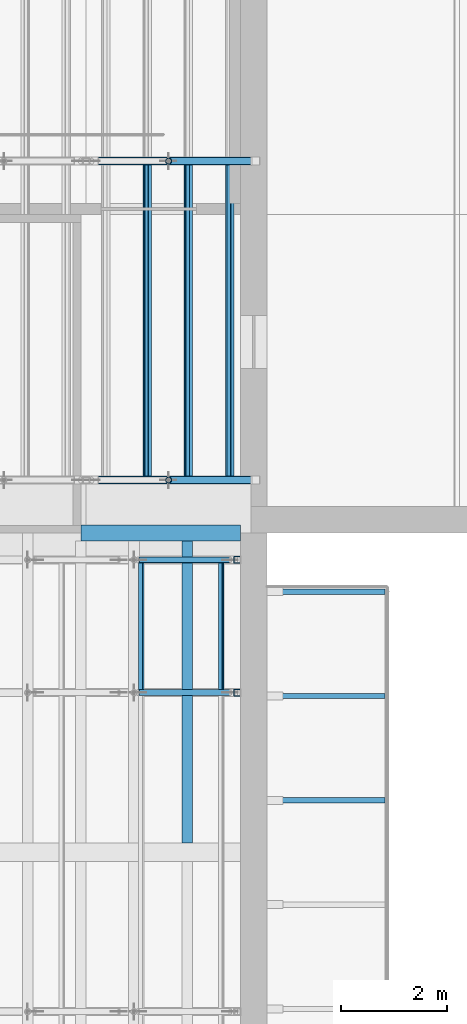
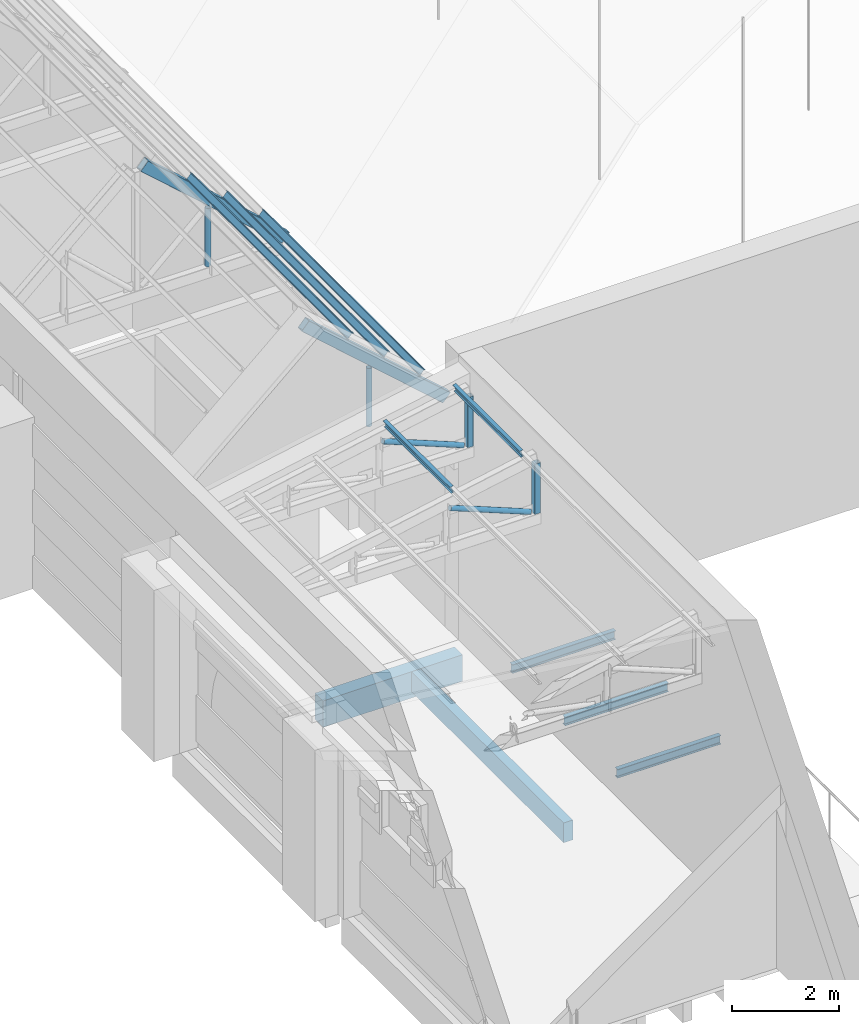
# One storey, part 29 of 118: 13 members, 5 beams.
"""IFC4 building model written with IfcOpenShell, lengths in metres."""

from ifc_helpers import new_model, si_unit, direction, frame, origin, origin_2d, place, context, subcontext, project, spatial, rectangle, hollow_rectangle, hollow_circle, i_section, extrude, material, material_profile, profile_set, type_object, element, save


model = new_model("IFC4")

# Units and contexts
model_context = context("Model", 3, precision=1e-05, world=origin(), true_north=direction((0.0, 1.0)))
body_context = subcontext(model_context, "Body", "Model", "MODEL_VIEW")
ifc_project = project(units=[si_unit("LENGTHUNIT", "METRE"), si_unit("AREAUNIT", "SQUARE_METRE"), si_unit("VOLUMEUNIT", "CUBIC_METRE"), si_unit("PLANEANGLEUNIT", "RADIAN"), si_unit("MASSUNIT", "GRAM", prefix="KILO")], contexts=[model_context])

# Site, building, storey
site_placement = place(None, origin())
site = spatial("IfcSite", under=ifc_project, at=site_placement, CompositionType="ELEMENT")
building_placement = place(site_placement, origin())
building = spatial("IfcBuilding", under=site, at=building_placement, Name="Saffron Lane Theatres", CompositionType="ELEMENT")
storey_placement = place(building_placement, frame((0.0, 0.0, 16.5)))
storey = spatial("IfcBuildingStorey", under=building, at=storey_placement, Name="L03", CompositionType="ELEMENT", Elevation=16.5)

# Beams
ifc_material_1 = material(Name="Concrete N40 (40 MPa)", Category="concrete")
ifc_material_profile_1 = material_profile(ifc_material_1, rectangle(XDim=0.300048828125, YDim=0.60009765625, at=origin_2d()))
ifc_profile_set_1 = profile_set([ifc_material_profile_1], Name="Concrete N40 (40 MPa)")
beam_type_1 = type_object("IfcBeamType", Name="RC-BEAM 300x600", PredefinedType="BEAM", material=ifc_profile_set_1)
beam_1_placement = place(storey_placement, frame((15.0, 54.0, -0.550048828125), z_axis=(1.0, 0.0, 0.0), x_axis=(0.0, 1.0, 0.0)))
element("IfcBeam", 1, at=beam_1_placement, inside=storey, type_object=beam_type_1, Name="beam-L03-x540-150", PredefinedType="BEAM", context=body_context, shape_type="SweptSolid", body=[
    extrude(rectangle(XDim=0.300048828125, YDim=0.60009765625, at=origin_2d()), origin(), (0.0, 0.0, 1.0), 3.0),
])
ifc_material_2 = material(Name="Concrete N40 (40 MPa)", Category="concrete")
ifc_material_profile_2 = material_profile(ifc_material_2, rectangle(XDim=0.199951171875, YDim=0.449951171875, at=origin_2d()))
ifc_profile_set_2 = profile_set([ifc_material_profile_2], Name="Concrete N40 (40 MPa)")
beam_type_2 = type_object("IfcBeamType", Name="RC-JOIST 200x450", PredefinedType="JOIST", material=ifc_profile_set_2)
beam_2_placement = place(storey_placement, frame((17.0, 48.175048828125, -0.47509765625), z_axis=(0.0, 1.0, 0.0), x_axis=(-1.0, 0.0, 0.0)))
element("IfcBeam", 2, at=beam_2_placement, inside=storey, type_object=beam_type_2, Name="joist-L03-y1700-482", PredefinedType="JOIST", context=body_context, shape_type="SweptSolid", body=[
    extrude(rectangle(XDim=0.199951171875, YDim=0.449951171875, at=origin_2d()), origin(), (0.0, 0.0, 1.0), 5.675048828125),
])
ifc_material_3 = material(Name="Steel Grade 350", Category="steel")
ifc_material_profile_3 = material_profile(ifc_material_3, i_section(OverallWidth=0.09912109375, OverallDepth=0.197998046875, WebThickness=0.00439453125, FlangeThickness=0.007080078125, FilletRadius=0.010986328125, at=origin_2d()))
ifc_profile_set_3 = profile_set([ifc_material_profile_3], Name="Steel Grade 350")
beam_type_3 = type_object("IfcBeamType", Name="ST-GALLERY BEAM 200UB18.2", PredefinedType="BEAM", material=ifc_profile_set_3)
for number, where, z_axis, x_axis, name in (
    (3, (18.5, 48.97509765625, -0.14892578125), (1.0, 0.0, 0.0), (0.0, 1.0, 0.0), "FBW16.5-8"),
    (4, (18.5, 50.9375, -0.14892578125), (1.0, 0.0, 0.0), (0.0, 1.0, 0.0), "FBW16.5-9"),
    (5, (18.5, 52.89990234375, -0.14892578125), (1.0, 0.0, 0.0), (0.0, 1.0, 0.0), "FBW16.5-10"),
):
    element("IfcBeam", number, at=place(storey_placement, frame(where, z_axis=z_axis, x_axis=x_axis)), inside=storey, type_object=beam_type_3, Name=name, PredefinedType="BEAM", context=body_context, shape_type="SweptSolid", body=[
        extrude(i_section(OverallWidth=0.09912109375, OverallDepth=0.197998046875, WebThickness=0.00439453125, FlangeThickness=0.007080078125, FilletRadius=0.010986328125, at=origin_2d()), origin(), (0.0, 0.0, 1.0), 2.22509765625),
    ])

# Members
ifc_material_4 = material(Name="Steel Grade 350", Category="steel")
ifc_material_profile_4 = material_profile(ifc_material_4, hollow_rectangle(XDim=0.125, YDim=0.125, WallThickness=0.006103515625, InnerFilletRadius=0.0029296875, OuterFilletRadius=0.009033203125, at=origin_2d()))
ifc_profile_set_4 = profile_set([ifc_material_profile_4], Name="Steel Grade 350")
member_type_1 = type_object("IfcMemberType", Name="ST-STUDIO POST 125x125x6 SHS", PredefinedType="POST", material=ifc_profile_set_4)
for number, where, z_axis, x_axis, name in (
    (6, (17.9375, 51.0, 4.75), (0.0, 0.0, 1.0), (1.0, 0.0, 0.0), "SB3-P31"),
    (7, (17.9375, 53.5, 4.75), (0.0, 0.0, 1.0), (1.0, 0.0, 0.0), "SB3-P38"),
):
    element("IfcMember", number, at=place(storey_placement, frame(where, z_axis=z_axis, x_axis=x_axis)), inside=storey, type_object=member_type_1, Name=name, PredefinedType="POST", context=body_context, shape_type="SweptSolid", body=[
        extrude(hollow_rectangle(XDim=0.125, YDim=0.125, WallThickness=0.006103515625, InnerFilletRadius=0.0029296875, OuterFilletRadius=0.009033203125, at=origin_2d()), origin(), (0.0, 0.0, 1.0), 1.140869140625),
    ])
ifc_material_5 = material(Name="Steel Grade 350", Category="steel")
ifc_material_profile_5 = material_profile(ifc_material_5, i_section(OverallWidth=0.074951171875, OverallDepth=0.155029296875, WebThickness=0.006103515625, FlangeThickness=0.009521484375, FilletRadius=0.008056640625, at=origin_2d()))
ifc_profile_set_5 = profile_set([ifc_material_profile_5], Name="Steel Grade 350")
member_type_2 = type_object("IfcMemberType", Name="ST-STUDIO PURLIN 150UB18.0", PredefinedType="PURLIN", material=ifc_profile_set_5)
for number, where, z_axis, x_axis, name in (
    (8, (17.79736328125, 55.0, 5.544677734375), (0.0, 1.0, 0.0), (-0.748268687469, 0.0, 0.663395787863), "SB1-U81"),
    (9, (17.022216796875, 55.0, 6.23193359375), (0.0, 1.0, 0.0), (-0.748268687469, 0.0, 0.663395787863), "SB1-U87"),
    (10, (16.247314453125, 55.0, 6.9189453125), (0.0, 1.0, 0.0), (-0.748268687469, 0.0, 0.663395787863), "SB1-U93"),
):
    element("IfcMember", number, at=place(storey_placement, frame(where, z_axis=z_axis, x_axis=x_axis)), inside=storey, type_object=member_type_2, Name=name, PredefinedType="PURLIN", context=body_context, shape_type="SweptSolid", body=[
        extrude(i_section(OverallWidth=0.074951171875, OverallDepth=0.155029296875, WebThickness=0.006103515625, FlangeThickness=0.009521484375, FilletRadius=0.008056640625, at=origin_2d()), origin(), (0.0, 0.0, 1.0), 6.0),
    ])
for number, where, z_axis, x_axis, name in (
    (11, (16.137451171875, 51.0, 5.88720703125), (0.0, 1.0, 0.0), (-0.981660567439, 0.0, -0.190637169344), "SB3-U57"),
    (12, (17.637451171875, 51.0, 6.178466796875), (0.0, 1.0, 0.0), (-0.981660567439, 0.0, -0.190637169344), "SB3-U62"),
):
    element("IfcMember", number, at=place(storey_placement, frame(where, z_axis=z_axis, x_axis=x_axis)), inside=storey, type_object=member_type_2, Name=name, PredefinedType="PURLIN", context=body_context, shape_type="SweptSolid", body=[
        extrude(i_section(OverallWidth=0.074951171875, OverallDepth=0.155029296875, WebThickness=0.006103515625, FlangeThickness=0.009521484375, FilletRadius=0.008056640625, at=origin_2d()), origin(), (0.0, 0.0, 1.0), 2.5),
    ])
ifc_material_6 = material(Name="Steel Grade 350", Category="steel")
ifc_material_profile_6 = material_profile(ifc_material_6, hollow_rectangle(XDim=0.14990234375, YDim=0.25, WallThickness=0.009033203125, InnerFilletRadius=0.00439453125, OuterFilletRadius=0.013427734375, at=origin_2d()))
ifc_profile_set_6 = profile_set([ifc_material_profile_6], Name="Steel Grade 350")
member_type_3 = type_object("IfcMemberType", Name="ST-STUDIO TRUSS CHORD 250x150x9 RHS", PredefinedType="CHORD", material=ifc_profile_set_6)
for number, where, z_axis, x_axis, name in (
    (13, (18.282958984375, 55.0, 4.843505859375), (-0.748261446236, 0.0, 0.663403955428), (0.0, -1.0, 0.0), "SB1-C3"),
    (14, (18.282958984375, 61.0, 4.843505859375), (-0.748261446236, 0.0, 0.663403955428), (0.0, -1.0, 0.0), "SB1-C11"),
):
    element("IfcMember", number, at=place(storey_placement, frame(where, z_axis=z_axis, x_axis=x_axis)), inside=storey, type_object=member_type_3, Name=name, PredefinedType="CHORD", context=body_context, shape_type="SweptSolid", body=[
        extrude(hollow_rectangle(XDim=0.14990234375, YDim=0.25, WallThickness=0.009033203125, InnerFilletRadius=0.00439453125, OuterFilletRadius=0.013427734375, at=origin_2d()), origin(), (0.0, 0.0, 1.0), 4.0595703125),
    ])
ifc_material_7 = material(Name="Steel Grade 350", Category="steel")
ifc_material_profile_7 = material_profile(ifc_material_7, hollow_circle(Radius=0.05712890625, WallThickness=0.006103515625, at=origin_2d()))
ifc_profile_set_7 = profile_set([ifc_material_profile_7], Name="Steel Grade 350")
member_type_4 = type_object("IfcMemberType", Name="ST-STUDIO TRUSS WEB 114.3x6.0 CHS", PredefinedType="BRACE", material=ifc_profile_set_7)
for number, where, z_axis, x_axis, name in (
    (15, (16.64990234375, 55.0, 4.75), (0.0, 0.0, 1.0), (1.0, 0.0, 0.0), "SB1-W6"),
    (16, (16.64990234375, 61.0, 4.75), (0.0, 0.0, 1.0), (1.0, 0.0, 0.0), "SB1-W14"),
):
    element("IfcMember", number, at=place(storey_placement, frame(where, z_axis=z_axis, x_axis=x_axis)), inside=storey, type_object=member_type_4, Name=name, PredefinedType="BRACE", context=body_context, shape_type="SweptSolid", body=[
        extrude(hollow_circle(Radius=0.05712890625, WallThickness=0.006103515625, at=origin_2d()), origin(), (0.0, 0.0, 1.0), 1.323486328125),
    ])
for number, where, z_axis, x_axis, name in (
    (17, (17.80517578125, 51.0, 4.802978515625), (-0.928149794968, 0.0, 0.372206875409), (0.0, -1.0, 0.0), "SB3-W34"),
    (18, (17.80517578125, 53.5, 4.802978515625), (-0.928149794968, 0.0, 0.372206875409), (0.0, -1.0, 0.0), "SB3-W41"),
):
    element("IfcMember", number, at=place(storey_placement, frame(where, z_axis=z_axis, x_axis=x_axis)), inside=storey, type_object=member_type_4, Name=name, PredefinedType="BRACE", context=body_context, shape_type="SweptSolid", body=[
        extrude(hollow_circle(Radius=0.05712890625, WallThickness=0.006103515625, at=origin_2d()), origin(), (0.0, 0.0, 1.0), 1.856201171875),
    ])

save(model, "model.ifc")
